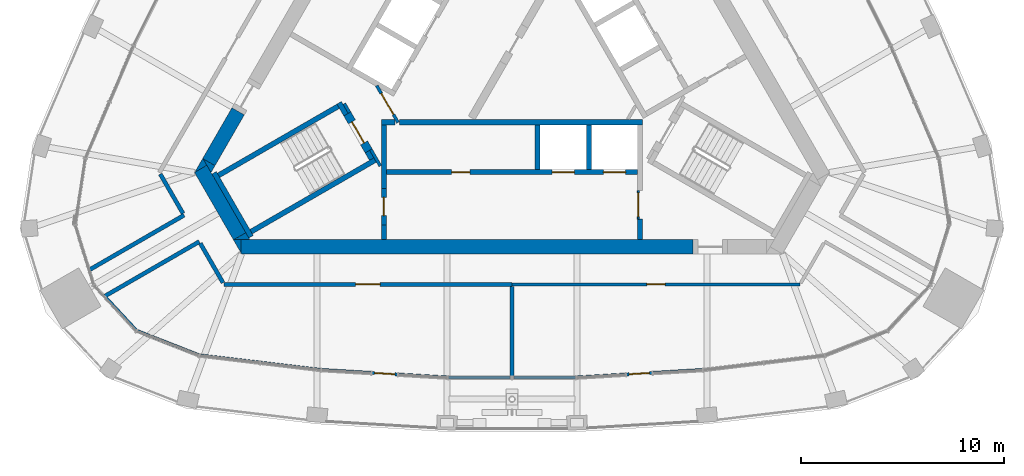
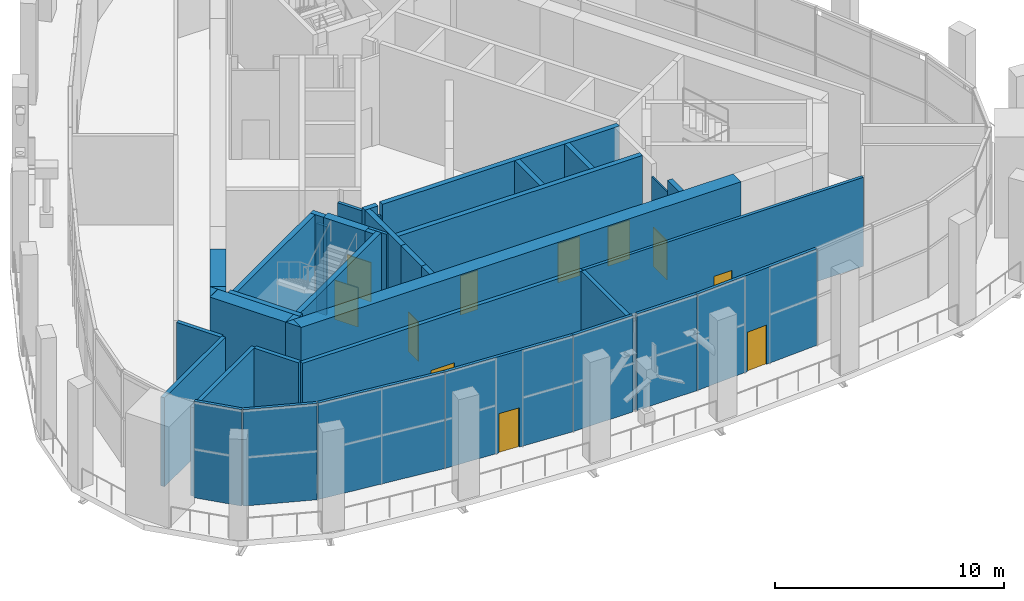
# One storey, part 13 of 23: 40 walls, 11 doors, 11 openings.
"""IFC4 building model written with IfcOpenShell, lengths in metres."""

import ifcopenshell
import ifcopenshell.guid

model = None  # the IFC model being written
_history = None  # IfcOwnerHistory: only IFC2X3 demands one
_inside = {}  # id of a spatial element -> (the spatial element, [elements in it])
_under = {}  # id of a project, library or spatial element -> (it, [spatial elements below it])
_declared = {}  # id of a project -> (the project, [libraries it declares])
_typed = {}  # id of a type object -> (the type object, [elements of that type])
_made_of = {}  # id of a material, layer set ... -> (it, [elements and type objects made of it])


def new_model(schema):
    """Start an empty IFC model of exactly this schema.

    Asked for "IFC4X3", IfcOpenShell would pick the latest addendum, in which some entities
    have other attributes; the version numbers below select the first issue.
    IFC2X3 requires an IfcOwnerHistory on every rooted entity: one is made here for all.
    """
    global model, _history
    if schema == "IFC4X3":
        model = ifcopenshell.file(schema_version=(4, 3, 0, 0))
    else:
        model = ifcopenshell.file(schema=schema)
    _inside.clear()
    _under.clear()
    _declared.clear()
    _typed.clear()
    _made_of.clear()
    _history = None
    if model.schema == "IFC2X3":
        org = make("IfcOrganization", Name="unknown")
        user = make(
            "IfcPersonAndOrganization",
            ThePerson=make("IfcPerson", FamilyName="unknown"),
            TheOrganization=org,
        )
        app = make(
            "IfcApplication",
            ApplicationDeveloper=org,
            Version="unknown",
            ApplicationFullName="unknown",
            ApplicationIdentifier="unknown",
        )
        _history = make(
            "IfcOwnerHistory",
            OwningUser=user,
            OwningApplication=app,
            ChangeAction="ADDED",
            CreationDate=0,
        )
    return model


def make(cls, **values):
    """One entity of the class cls with the attributes given. An attribute that is None is left unset."""
    return model.create_entity(
        cls, **{name: value for name, value in values.items() if value is not None}
    )


def rooted(cls, **values):
    """An entity with a GlobalId (a new one), such as an element, a storey or a relation."""
    return make(cls, GlobalId=ifcopenshell.guid.new(), OwnerHistory=_history, **values)


def si_unit(unit_type, name, prefix=None):
    """IfcSIUnit, for example si_unit("LENGTHUNIT", "METRE", prefix="MILLI")."""
    return make("IfcSIUnit", UnitType=unit_type, Prefix=prefix, Name=name)


def assignment(units):
    """IfcUnitAssignment: the units of a project."""
    return None if units is None else make("IfcUnitAssignment", Units=units)


def point(xyz):
    """IfcCartesianPoint."""
    return None if xyz is None else make("IfcCartesianPoint", Coordinates=xyz)


def direction(xyz):
    """IfcDirection."""
    return None if xyz is None else make("IfcDirection", DirectionRatios=xyz)


def frame(location, z_axis=None, x_axis=None):
    """IfcAxis2Placement3D, a coordinate frame: its origin and axes. An axis left out is left unset."""
    return make(
        "IfcAxis2Placement3D",
        Location=point(location),
        Axis=direction(z_axis),
        RefDirection=direction(x_axis),
    )


def frame_2d(location, x_axis=None):
    """IfcAxis2Placement2D, a coordinate frame in the plane: its origin and x axis."""
    return make(
        "IfcAxis2Placement2D", Location=point(location), RefDirection=direction(x_axis)
    )


def origin():
    """The frame at (0, 0, 0) with its axes left unset."""
    return frame((0.0, 0.0, 0.0))


def place(relative_to, where):
    """IfcLocalPlacement: puts the frame where relative to a parent placement (None: the world)."""
    return make(
        "IfcLocalPlacement", PlacementRelTo=relative_to, RelativePlacement=where
    )


def context(
    kind, dimensions, precision=None, world=None, true_north=None, identifier=None
):
    """IfcGeometricRepresentationContext, for example the 3D "Model" context."""
    return make(
        "IfcGeometricRepresentationContext",
        ContextIdentifier=identifier,
        ContextType=kind,
        CoordinateSpaceDimension=dimensions,
        Precision=precision,
        WorldCoordinateSystem=world,
        TrueNorth=true_north,
    )


def subcontext(parent, identifier, kind, view, scale=None):
    """IfcGeometricRepresentationSubContext, for example "Body" below "Model"."""
    return make(
        "IfcGeometricRepresentationSubContext",
        ContextIdentifier=identifier,
        ContextType=kind,
        ParentContext=parent,
        TargetScale=scale,
        TargetView=view,
    )


def project(units=None, contexts=None):
    """IfcProject with its units and contexts."""
    return rooted(
        "IfcProject",
        Name="project",
        RepresentationContexts=contexts,
        UnitsInContext=assignment(units),
    )


def spatial(cls, under=None, at=None, **own):
    """A site, building, storey or space (cls), placed at a placement, below another one or the project."""
    s = rooted(cls, ObjectPlacement=at, **own)
    if under is not None:
        _under.setdefault(under.id(), (under, []))[1].append(s)
    return s


def polyline(points):
    """IfcPolyline through the points."""
    return make("IfcPolyline", Points=[point(p) for p in points])


def profile(cls, at=None, kind="AREA", **sizes):
    """A parametric profile (cls). Its sizes go by their IFC names, for example OverallWidth=200.0."""
    return make(cls, ProfileType=kind, Position=at, **sizes)


def rectangle(**sizes):
    """IfcRectangleProfileDef."""
    return profile("IfcRectangleProfileDef", **sizes)


def outline(outer, holes=None, kind="AREA"):
    """IfcArbitraryClosedProfileDef: a profile drawn as a closed curve; with holes, ...WithVoids."""
    if holes is None:
        return make("IfcArbitraryClosedProfileDef", ProfileType=kind, OuterCurve=outer)
    return make(
        "IfcArbitraryProfileDefWithVoids",
        ProfileType=kind,
        OuterCurve=outer,
        InnerCurves=holes,
    )


def extrude(swept, where, along, depth):
    """IfcExtrudedAreaSolid: the profile swept, set in the frame where, extruded along a direction by depth."""
    return make(
        "IfcExtrudedAreaSolid",
        SweptArea=swept,
        Position=where,
        ExtrudedDirection=direction(along),
        Depth=depth,
    )


def shape(context_of_items, identifier, shape_type, items):
    """IfcShapeRepresentation: the items that make up one representation, for example the "Body"."""
    return make(
        "IfcShapeRepresentation",
        ContextOfItems=context_of_items,
        RepresentationIdentifier=identifier,
        RepresentationType=shape_type,
        Items=items,
    )


def material(Name=None, Category=None):
    """IfcMaterial."""
    return make("IfcMaterial", Name=Name, Category=Category)


def layer(
    of_material, thickness, ventilated=None, Name=None, Category=None, Priority=None
):
    """IfcMaterialLayer: one layer of a wall or slab, of a material (None: an air gap)."""
    return make(
        "IfcMaterialLayer",
        Material=of_material,
        LayerThickness=thickness,
        IsVentilated=ventilated,
        Name=Name,
        Category=Category,
        Priority=Priority,
    )


def layer_set(layers, Name=None):
    """IfcMaterialLayerSet."""
    return make("IfcMaterialLayerSet", MaterialLayers=layers, LayerSetName=Name)


def made_of(thing, what):
    """Note that an element or type object is made of a material, layer set ...; save() writes the relation."""
    if what is not None:
        _made_of.setdefault(what.id(), (what, []))[1].append(thing)
    return thing


def type_object(cls, material=None, **own):
    """A type object (cls), such as IfcWallType, which elements share."""
    return made_of(rooted(cls, **own), material)


def element(
    cls,
    number,
    at=None,
    inside=None,
    cuts=None,
    type_object=None,
    material=None,
    context=None,
    identifier="Body",
    shape_type=None,
    held_by="IfcProductDefinitionShape",
    body=None,
    shapes=None,
    **own,
):
    """One element of the class cls, such as IfcWall. Its Tag is "e" and its number.

    at: its placement. inside: the storey or other place that contains it. cuts: it is an
    opening in that element (IfcRelVoidsElement). A single representation is given by context,
    identifier, shape_type and body (its items); several are given by shapes. held_by: the class
    of the entity that holds the representations. save() writes the other relations.
    """
    e = rooted(cls, Tag="e%d" % number, ObjectPlacement=at, **own)
    if body is not None:
        shapes = [shape(context, identifier, shape_type, body)]
    if shapes is not None:
        e.Representation = make(held_by, Representations=shapes)
    if inside is not None:
        _inside.setdefault(inside.id(), (inside, []))[1].append(e)
    if cuts is not None:
        rooted(
            "IfcRelVoidsElement", RelatingBuildingElement=cuts, RelatedOpeningElement=e
        )
    if type_object is not None:
        _typed.setdefault(type_object.id(), (type_object, []))[1].append(e)
    return made_of(e, material)


def fill(opening, filler):
    """IfcRelFillsElement: the door or window that sits in an opening."""
    return rooted(
        "IfcRelFillsElement",
        RelatingOpeningElement=opening,
        RelatedBuildingElement=filler,
    )


def aggregate(whole, parts):
    """IfcRelAggregates: a whole, such as a stair, and the parts it consists of."""
    return rooted("IfcRelAggregates", RelatingObject=whole, RelatedObjects=parts)


def save(model, path):
    """Write the relations noted so far, then the file.

    IfcRelAggregates (storeys below a building ...), IfcRelContainedInSpatialStructure (elements
    in a storey), IfcRelDefinesByType, IfcRelAssociatesMaterial and IfcRelDeclares: one each for
    every whole, place, type object, material and project.
    """
    for whole, parts in _under.values():
        aggregate(whole, parts)
    for where, things in _inside.values():
        rooted(
            "IfcRelContainedInSpatialStructure",
            RelatedElements=things,
            RelatingStructure=where,
        )
    for kind, things in _typed.values():
        rooted("IfcRelDefinesByType", RelatedObjects=things, RelatingType=kind)
    for what, things in _made_of.values():
        rooted("IfcRelAssociatesMaterial", RelatedObjects=things, RelatingMaterial=what)
    for by, libraries in _declared.values():
        rooted("IfcRelDeclares", RelatingContext=by, RelatedDefinitions=libraries)
    model.write(path)


model = new_model("IFC4")

# Units and contexts
model_context = context("Model", 3, precision=1e-05, world=origin(), true_north=direction((0.0, 1.0)))
body_context = subcontext(model_context, "Body", "Model", "MODEL_VIEW")
ifc_project = project(units=[si_unit("LENGTHUNIT", "METRE"), si_unit("AREAUNIT", "SQUARE_METRE"), si_unit("VOLUMEUNIT", "CUBIC_METRE"), si_unit("PLANEANGLEUNIT", "RADIAN"), si_unit("MASSUNIT", "GRAM", prefix="KILO")], contexts=[model_context])

# Site, building, storey
site_placement = place(None, origin())
site = spatial("IfcSite", under=ifc_project, at=site_placement, CompositionType="ELEMENT")
building_placement = place(site_placement, origin())
building = spatial("IfcBuilding", under=site, at=building_placement, Name="Mestral Congress Tower", CompositionType="ELEMENT")
storey_placement = place(building_placement, frame((0.0, 0.0, 261.60009765625)))
storey = spatial("IfcBuildingStorey", under=building, at=storey_placement, Name="L61", CompositionType="ELEMENT", Elevation=261.60009765625)

# Wall
ifc_material_1 = material(Name="Fire-rated board partition")
ifc_layer_1 = layer(ifc_material_1, 0.14990234375)
ifc_layer_set_1 = layer_set([ifc_layer_1], Name="Fire-rated board partition")
wall_type_1 = type_object("IfcWallType", Name="Core partition 150", PredefinedType="PARTITIONING", material=ifc_layer_set_1)
wall_1_placement = place(storey_placement, frame((-8.251953125, -2.958251953125, 0.0), z_axis=(0.0, 0.0, 1.0), x_axis=(0.500174715838, -0.865924508047, 0.0)))
element("IfcWall", 1, at=wall_1_placement, inside=storey, type_object=wall_type_1, Name="L61 core wall", PredefinedType="PARTITIONING", context=body_context, shape_type="SweptSolid", body=[
    extrude(rectangle(XDim=0.513916015625, YDim=0.14990234375, at=frame_2d((0.2568359375, 0.0))), origin(), (0.0, 0.0, 1.0), 4.75),
])

# Wall, opening, door
wall_2_placement = place(storey_placement, frame((-5.606201171875, -3.8896484375, 0.0), z_axis=(0.0, 0.0, 1.0), x_axis=(-0.500027713859, 0.866009402589, 0.0)))
wall_2 = element("IfcWall", 2, at=wall_2_placement, inside=storey, type_object=wall_type_1, Name="L61 door wall", PredefinedType="PARTITIONING", context=body_context, shape_type="SweptSolid", body=[
    extrude(rectangle(XDim=2.10009765625, YDim=0.14990234375, at=frame_2d((1.050048828125, 0.0))), origin(), (0.0, 0.0, 1.0), 4.75),
])
opening_1_placement = place(wall_2_placement, frame((0.449951171875, 0.0, 0.0)))
opening_1 = element("IfcOpeningElement", 3, at=opening_1_placement, cuts=wall_2, Name="Opening CD3-FF", PredefinedType="OPENING", context=body_context, shape_type="SweptSolid", body=[
    extrude(rectangle(XDim=1.199951171875, YDim=2.10009765625, at=frame_2d((0.60009765625, 1.050048828125))), frame((0.0, 0.0849609375, 0.0), z_axis=(0.0, -1.0, 0.0), x_axis=(1.0, 0.0, 0.0)), (0.0, 0.0, 1.0), 0.169921875),
])
ifc_material_2 = material(Name="Fire-rated steel door set", Category="steel")
door_type_1 = type_object("IfcDoorType", Name="Core door CD 1200x2100", OperationType="SINGLE_SWING_LEFT", PredefinedType="DOOR", material=ifc_material_2)
door_1_placement = place(opening_1_placement, origin())
door_1 = element("IfcDoor", 4, at=door_1_placement, inside=storey, type_object=door_type_1, Name="Door CD3-FF", OperationType="SINGLE_SWING_LEFT", OverallHeight=2.10009765625, OverallWidth=1.199951171875, PredefinedType="DOOR", context=body_context, shape_type="SweptSolid", body=[
    extrude(rectangle(XDim=1.199951171875, YDim=2.10009765625, at=frame_2d((0.60009765625, 1.050048828125))), frame((0.0, 0.02490234375, 0.0), z_axis=(0.0, -1.0, 0.0), x_axis=(1.0, 0.0, 0.0)), (0.0, 0.0, 1.0), 0.050048828125),
])
fill(opening_1, door_1)

ifc_layer_2 = layer(ifc_material_1, 0.090087890625)
ifc_layer_set_2 = layer_set([ifc_layer_2], Name="Fire-rated board partition")
wall_type_2 = type_object("IfcWallType", Name="Core partition 150 door-wall 90", PredefinedType="PARTITIONING", material=ifc_layer_set_2)
wall_3_placement = place(storey_placement, frame((6.219970703125, -7.23681640625, 0.0), z_axis=(0.0, 0.0, 1.0), x_axis=(0.0, -1.0, 0.0)))
wall_3 = element("IfcWall", 5, at=wall_3_placement, inside=storey, type_object=wall_type_2, Name="L61 door wall", PredefinedType="PARTITIONING", context=body_context, shape_type="SweptSolid", body=[
    extrude(rectangle(XDim=1.400146484375, YDim=0.090087890625, at=frame_2d((0.7001953125, 0.0))), origin(), (0.0, 0.0, 1.0), 4.75),
])
opening_2_placement = place(wall_3_placement, frame((0.10009765625, 0.0, 0.0)))
opening_2 = element("IfcOpeningElement", 6, at=opening_2_placement, cuts=wall_3, Name="Opening LB0-WL1", PredefinedType="OPENING", context=body_context, shape_type="SweptSolid", body=[
    extrude(rectangle(XDim=1.199951171875, YDim=2.10009765625, at=frame_2d((0.60009765625, 1.050048828125))), frame((0.0, 0.054931640625, 0.0), z_axis=(0.0, -1.0, 0.0), x_axis=(1.0, 0.0, 0.0)), (0.0, 0.0, 1.0), 0.110107421875),
])
door_type_2 = type_object("IfcDoorType", Name="Core door LB 1200x2100", OperationType="SINGLE_SWING_LEFT", PredefinedType="DOOR", material=ifc_material_2)
door_2_placement = place(opening_2_placement, origin())
door_2 = element("IfcDoor", 7, at=door_2_placement, inside=storey, type_object=door_type_2, Name="Door LB0-WL1", OperationType="SINGLE_SWING_LEFT", OverallHeight=2.10009765625, OverallWidth=1.199951171875, PredefinedType="DOOR", context=body_context, shape_type="SweptSolid", body=[
    extrude(rectangle(XDim=1.199951171875, YDim=2.10009765625, at=frame_2d((0.60009765625, 1.050048828125))), frame((0.0, 0.02490234375, 0.0), z_axis=(0.0, -1.0, 0.0), x_axis=(1.0, 0.0, 0.0)), (0.0, 0.0, 1.0), 0.050048828125),
])
fill(opening_2, door_2)

# Walls
ifc_material_3 = material(Name="Concrete C60/75", Category="concrete")
ifc_layer_3 = layer(ifc_material_3, 0.699951171875)
ifc_layer_set_3 = layer_set([ifc_layer_3], Name="Concrete C60/75")
wall_type_3 = type_object("IfcWallType", Name="Core wall RC 700", PredefinedType="SOLIDWALL", material=ifc_layer_set_3)
wall_4_placement = place(storey_placement, frame((8.904296875, -10.0, 0.0), z_axis=(0.0, 0.0, 1.0), x_axis=(-1.0, 0.0, 0.0)))
element("IfcWall", 8, at=wall_4_placement, inside=storey, type_object=wall_type_3, Name="L61 core wall", PredefinedType="SOLIDWALL", context=body_context, shape_type="SweptSolid", body=[
    extrude(rectangle(XDim=22.226318359375, YDim=0.699951171875, at=frame_2d((11.11328125, 0.0))), origin(), (0.0, 0.0, 1.0), 5.39990234375),
])
placement = place(storey_placement, origin())
element("IfcWall", 9, at=placement, inside=storey, type_object=wall_type_3, Name="L61 core wall", PredefinedType="SOLIDWALL", context=body_context, shape_type="SweptSolid", body=[
    extrude(outline(polyline([(-13.7119140625, -9.64990234375), (-13.323974609375, -9.64990234375), (-13.323974609375, -10.322021484375), (-13.7119140625, -9.64990234375)])), origin(), (0.0, 0.0, 1.0), 5.39990234375),
])
wall_6_placement = place(storey_placement, frame((-13.40185546875, -9.4873046875, 0.0), z_axis=(0.0, 0.0, 1.0), x_axis=(-0.500020498207, 0.866013568815, 0.0)))
element("IfcWall", 10, at=wall_6_placement, inside=storey, type_object=wall_type_3, Name="L61 core wall", PredefinedType="SOLIDWALL", context=body_context, shape_type="SweptSolid", body=[
    extrude(rectangle(XDim=3.828857421875, YDim=0.699951171875, at=frame_2d((1.91455078125, 0.0))), origin(), (0.0, 0.0, 1.0), 5.39990234375),
])
element("IfcWall", 11, at=placement, inside=storey, type_object=wall_type_3, Name="L61 core wall", PredefinedType="SOLIDWALL", context=body_context, shape_type="SweptSolid", body=[
    extrude(outline(polyline([(-15.01416015625, -5.99462890625), (-15.611083984375, -6.33935546875), (-15.213134765625, -5.64990234375), (-15.01416015625, -5.99462890625)])), origin(), (0.0, 0.0, 1.0), 5.39990234375),
])
element("IfcWall", 12, at=placement, inside=storey, type_object=wall_type_3, Name="L61 core wall", PredefinedType="SOLIDWALL", context=body_context, shape_type="SweptSolid", body=[
    extrude(outline(polyline([(-12.90380859375, -9.64990234375), (-13.6796875, -9.64990234375), (-13.097900390625, -9.31396484375), (-12.90380859375, -9.64990234375)])), origin(), (0.0, 0.0, 1.0), 5.39990234375),
])
wall_9_placement = place(storey_placement, frame((-13.474853515625, -3.33935546875, 0.0), z_axis=(0.0, 0.0, 1.0), x_axis=(-0.500008214683, -0.866020660983, 0.0)))
element("IfcWall", 13, at=wall_9_placement, inside=storey, type_object=wall_type_3, Name="L61 core wall", PredefinedType="SOLIDWALL", context=body_context, shape_type="SweptSolid", body=[
    extrude(rectangle(XDim=2.88427734375, YDim=0.699951171875, at=frame_2d((1.442138671875, 0.0))), origin(), (0.0, 0.0, 1.0), 5.39990234375),
])
element("IfcWall", 14, at=placement, inside=storey, type_object=wall_type_3, Name="L61 core wall", PredefinedType="SOLIDWALL", context=body_context, shape_type="SweptSolid", body=[
    extrude(outline(polyline([(-14.80908203125, -6.35009765625), (-15.197021484375, -5.677978515625), (-14.614990234375, -6.013916015625), (-14.80908203125, -6.35009765625)])), origin(), (0.0, 0.0, 1.0), 5.39990234375),
])
ifc_layer_4 = layer(ifc_material_3, 0.25)
ifc_layer_set_4 = layer_set([ifc_layer_4], Name="Concrete C60/75")
wall_type_4 = type_object("IfcWallType", Name="Shaft wall RC 250", PredefinedType="SOLIDWALL", material=ifc_layer_set_4)
wall_11_placement = place(storey_placement, frame((-5.544921875, -3.875, 0.0), z_axis=(0.0, 0.0, 1.0), x_axis=(1.0, 0.0, 0.0)))
element("IfcWall", 15, at=wall_11_placement, inside=storey, type_object=wall_type_4, Name="L61 core wall", PredefinedType="SOLIDWALL", context=body_context, shape_type="SweptSolid", body=[
    extrude(rectangle(XDim=11.969970703125, YDim=0.25, at=frame_2d((5.98486328125, 0.0))), origin(), (0.0, 0.0, 1.0), 5.39990234375),
])
wall_12_placement = place(storey_placement, frame((-6.425048828125, -3.875, 0.0), z_axis=(0.0, 0.0, 1.0), x_axis=(1.0, 0.0, 0.0)))
element("IfcWall", 16, at=wall_12_placement, inside=storey, type_object=wall_type_4, Name="L61 core wall", PredefinedType="SOLIDWALL", context=body_context, shape_type="SweptSolid", body=[
    extrude(rectangle(XDim=0.657958984375, YDim=0.25, at=frame_2d((0.3291015625, 0.0))), origin(), (0.0, 0.0, 1.0), 5.39990234375),
])
wall_13_placement = place(storey_placement, frame((6.300048828125, -9.64990234375, 0.0), z_axis=(0.0, 0.0, 1.0), x_axis=(0.0, 1.0, 0.0)))
element("IfcWall", 17, at=wall_13_placement, inside=storey, type_object=wall_type_4, Name="L61 core wall", PredefinedType="SOLIDWALL", context=body_context, shape_type="SweptSolid", body=[
    extrude(rectangle(XDim=1.0078125, YDim=0.25, at=frame_2d((0.50390625, 0.0))), origin(), (0.0, 0.0, 1.0), 5.39990234375),
])
for number, where, z_axis, x_axis, name in (
    (18, (3.780029296875, -4.0, 0.0), (0.0, 0.0, 1.0), (0.0, -1.0, 0.0), "L61 core wall"),
    (19, (1.260009765625, -4.0, 0.0), (0.0, 0.0, 1.0), (0.0, -1.0, 0.0), "L61 core wall"),
):
    element("IfcWall", number, at=place(storey_placement, frame(where, z_axis=z_axis, x_axis=x_axis)), inside=storey, type_object=wall_type_4, Name=name, PredefinedType="SOLIDWALL", context=body_context, shape_type="SweptSolid", body=[
        extrude(rectangle(XDim=2.199951171875, YDim=0.25, at=frame_2d((1.10009765625, 0.0))), origin(), (0.0, 0.0, 1.0), 5.39990234375),
    ])
wall_14_placement = place(storey_placement, frame((-6.300048828125, -7.12451171875, 0.0), z_axis=(0.0, 0.0, 1.0), x_axis=(0.0, 1.0, 0.0)))
element("IfcWall", 20, at=wall_14_placement, inside=storey, type_object=wall_type_4, Name="L61 core wall", PredefinedType="SOLIDWALL", context=body_context, shape_type="SweptSolid", body=[
    extrude(rectangle(XDim=3.12451171875, YDim=0.25, at=frame_2d((1.562255859375, 0.0))), origin(), (0.0, 0.0, 1.0), 5.39990234375),
])
wall_15_placement = place(storey_placement, frame((-6.300048828125, -8.9248046875, 0.0), z_axis=(0.0, 0.0, 1.0), x_axis=(0.0, -1.0, 0.0)))
element("IfcWall", 21, at=wall_15_placement, inside=storey, type_object=wall_type_4, Name="L61 core wall", PredefinedType="SOLIDWALL", context=body_context, shape_type="SweptSolid", body=[
    extrude(rectangle(XDim=0.72509765625, YDim=0.25, at=frame_2d((0.362548828125, 0.0))), origin(), (0.0, 0.0, 1.0), 5.39990234375),
])

# Wall, openings, doors
wall_16_placement = place(storey_placement, frame((-6.175048828125, -6.324951171875, 0.0), z_axis=(0.0, 0.0, 1.0), x_axis=(1.0, 0.0, 0.0)))
wall_16 = element("IfcWall", 22, at=wall_16_placement, inside=storey, type_object=wall_type_4, Name="L61 door wall", PredefinedType="SOLIDWALL", context=body_context, shape_type="SweptSolid", body=[
    extrude(rectangle(XDim=12.35009765625, YDim=0.25, at=frame_2d((6.175048828125, 0.0))), origin(), (0.0, 0.0, 1.0), 5.39990234375),
])
opening_3_placement = place(wall_16_placement, frame((3.205078125, 0.0, 0.0)))
opening_3 = element("IfcOpeningElement", 23, at=opening_3_placement, cuts=wall_16, Name="Opening SR-SOB1", PredefinedType="OPENING", context=body_context, shape_type="SweptSolid", body=[
    extrude(rectangle(XDim=0.89990234375, YDim=2.10009765625, at=frame_2d((0.449951171875, 1.050048828125))), frame((0.0, 0.135009765625, 0.0), z_axis=(0.0, -1.0, 0.0), x_axis=(1.0, 0.0, 0.0)), (0.0, 0.0, 1.0), 0.27001953125),
])
opening_4_placement = place(wall_16_placement, frame((8.14501953125, 0.0, 0.0)))
opening_4 = element("IfcOpeningElement", 24, at=opening_4_placement, cuts=wall_16, Name="Opening LD-SOB4", PredefinedType="OPENING", context=body_context, shape_type="SweptSolid", body=[
    extrude(rectangle(XDim=1.10009765625, YDim=2.10009765625, at=frame_2d((0.550048828125, 1.050048828125))), frame((0.0, 0.135009765625, 0.0), z_axis=(0.0, -1.0, 0.0), x_axis=(1.0, 0.0, 0.0)), (0.0, 0.0, 1.0), 0.27001953125),
])
opening_5_placement = place(wall_16_placement, frame((10.6650390625, 0.0, 0.0)))
opening_5 = element("IfcOpeningElement", 25, at=opening_5_placement, cuts=wall_16, Name="Opening LD-SOB5", PredefinedType="OPENING", context=body_context, shape_type="SweptSolid", body=[
    extrude(rectangle(XDim=1.10009765625, YDim=2.10009765625, at=frame_2d((0.550048828125, 1.050048828125))), frame((0.0, 0.135009765625, 0.0), z_axis=(0.0, -1.0, 0.0), x_axis=(1.0, 0.0, 0.0)), (0.0, 0.0, 1.0), 0.27001953125),
])
door_type_3 = type_object("IfcDoorType", Name="Core door LD 1100x2100", OperationType="DOUBLE_DOOR_SLIDING", PredefinedType="DOOR", material=ifc_material_2)
door_3_placement = place(opening_4_placement, origin())
door_3 = element("IfcDoor", 26, at=door_3_placement, inside=storey, type_object=door_type_3, Name="Door LD-SOB4", OperationType="DOUBLE_DOOR_SLIDING", OverallHeight=2.10009765625, OverallWidth=1.10009765625, PredefinedType="DOOR", context=body_context, shape_type="SweptSolid", body=[
    extrude(rectangle(XDim=1.10009765625, YDim=2.10009765625, at=frame_2d((0.550048828125, 1.050048828125))), frame((0.0, 0.02490234375, 0.0), z_axis=(0.0, -1.0, 0.0), x_axis=(1.0, 0.0, 0.0)), (0.0, 0.0, 1.0), 0.050048828125),
])
fill(opening_4, door_3)
door_4_placement = place(opening_5_placement, origin())
door_4 = element("IfcDoor", 27, at=door_4_placement, inside=storey, type_object=door_type_3, Name="Door LD-SOB5", OperationType="DOUBLE_DOOR_SLIDING", OverallHeight=2.10009765625, OverallWidth=1.10009765625, PredefinedType="DOOR", context=body_context, shape_type="SweptSolid", body=[
    extrude(rectangle(XDim=1.10009765625, YDim=2.10009765625, at=frame_2d((0.550048828125, 1.050048828125))), frame((0.0, 0.02490234375, 0.0), z_axis=(0.0, -1.0, 0.0), x_axis=(1.0, 0.0, 0.0)), (0.0, 0.0, 1.0), 0.050048828125),
])
fill(opening_5, door_4)
door_type_4 = type_object("IfcDoorType", Name="Core door SR 900x2100", OperationType="SINGLE_SWING_LEFT", PredefinedType="DOOR", material=ifc_material_2)
door_5_placement = place(opening_3_placement, origin())
door_5 = element("IfcDoor", 28, at=door_5_placement, inside=storey, type_object=door_type_4, Name="Door SR-SOB1", OperationType="SINGLE_SWING_LEFT", OverallHeight=2.10009765625, OverallWidth=0.89990234375, PredefinedType="DOOR", context=body_context, shape_type="SweptSolid", body=[
    extrude(rectangle(XDim=0.89990234375, YDim=2.10009765625, at=frame_2d((0.449951171875, 1.050048828125))), frame((0.0, 0.02490234375, 0.0), z_axis=(0.0, -1.0, 0.0), x_axis=(1.0, 0.0, 0.0)), (0.0, 0.0, 1.0), 0.050048828125),
])
fill(opening_3, door_5)

# Wall, opening, door
wall_17_placement = place(storey_placement, frame((-6.300048828125, -7.12451171875, 0.0), z_axis=(0.0, 0.0, 1.0), x_axis=(0.0, -1.0, 0.0)))
wall_17 = element("IfcWall", 29, at=wall_17_placement, inside=storey, type_object=wall_type_4, Name="L61 door wall", PredefinedType="SOLIDWALL", context=body_context, shape_type="SweptSolid", body=[
    extrude(rectangle(XDim=1.800048828125, YDim=0.25, at=frame_2d((0.89990234375, 0.0))), origin(), (0.0, 0.0, 1.0), 5.39990234375),
])
opening_6_placement = place(wall_17_placement, frame((0.449951171875, 0.0, 0.0)))
opening_6 = element("IfcOpeningElement", 30, at=opening_6_placement, cuts=wall_17, Name="Opening TD3", PredefinedType="OPENING", context=body_context, shape_type="SweptSolid", body=[
    extrude(rectangle(XDim=0.89990234375, YDim=2.10009765625, at=frame_2d((0.449951171875, 1.050048828125))), frame((0.0, 0.135009765625, 0.0), z_axis=(0.0, -1.0, 0.0), x_axis=(1.0, 0.0, 0.0)), (0.0, 0.0, 1.0), 0.27001953125),
])
door_6_placement = place(opening_6_placement, origin())
door_6 = element("IfcDoor", 31, at=door_6_placement, inside=storey, type_object=door_type_4, Name="Door TD3", OperationType="SINGLE_SWING_LEFT", OverallHeight=2.10009765625, OverallWidth=0.89990234375, PredefinedType="DOOR", context=body_context, shape_type="SweptSolid", body=[
    extrude(rectangle(XDim=0.89990234375, YDim=2.10009765625, at=frame_2d((0.449951171875, 1.050048828125))), frame((0.0, 0.02490234375, 0.0), z_axis=(0.0, -1.0, 0.0), x_axis=(1.0, 0.0, 0.0)), (0.0, 0.0, 1.0), 0.050048828125),
])
fill(opening_6, door_6)

# Wall
ifc_layer_5 = layer(ifc_material_3, 0.14990234375)
ifc_layer_set_5 = layer_set([ifc_layer_5], Name="Concrete C60/75")
wall_type_5 = type_object("IfcWallType", Name="Shaft wall RC 250 door-wall 150", PredefinedType="SOLIDWALL", material=ifc_layer_set_5)
wall_18_placement = place(storey_placement, frame((-6.48046875, -6.026611328125, 0.0), z_axis=(0.0, 0.0, 1.0), x_axis=(-0.499927229454, 0.866067413802, 0.0)))
element("IfcWall", 32, at=wall_18_placement, inside=storey, type_object=wall_type_5, Name="L61 core wall", PredefinedType="PARTITIONING", context=body_context, shape_type="SweptSolid", body=[
    extrude(rectangle(XDim=0.928955078125, YDim=0.14990234375, at=frame_2d((0.46435546875, 0.0))), origin(), (0.0, 0.0, 1.0), 5.39990234375),
])

# Wall, opening, door
ifc_material_4 = material(Name="Aluminium-framed glazed screen", Category="aluminium")
ifc_layer_6 = layer(ifc_material_4, 0.14990234375)
ifc_layer_set_6 = layer_set([ifc_layer_6], Name="Aluminium-framed glazed screen")
wall_type_6 = type_object("IfcWallType", Name="Special deck access screen 150", PredefinedType="PARTITIONING", material=ifc_layer_set_6)
wall_19_placement = place(storey_placement, frame((-9.385986328125, -16.056640625, 0.0), z_axis=(0.0, 0.0, 1.0), x_axis=(0.998219082879, -0.059654526865, 0.0)))
wall_19 = element("IfcWall", 33, at=wall_19_placement, inside=storey, type_object=wall_type_6, Name="Deck access screen wall", PredefinedType="PARTITIONING", context=body_context, shape_type="SweptSolid", body=[
    extrude(rectangle(XDim=6.26171875, YDim=0.14990234375, at=frame_2d((3.130859375, 0.0))), origin(), (0.0, 0.0, 1.0), 5.14990234375),
])
opening_7_placement = place(wall_19_placement, frame((2.630859375, 0.0, 0.0)))
opening_7 = element("IfcOpeningElement", 34, at=opening_7_placement, cuts=wall_19, Name="Opening S61-801", PredefinedType="OPENING", context=body_context, shape_type="SweptSolid", body=[
    extrude(rectangle(XDim=1.0, YDim=2.10009765625, at=frame_2d((0.5, 1.050048828125))), frame((0.0, 0.0849609375, 0.0), z_axis=(0.0, -1.0, 0.0), x_axis=(1.0, 0.0, 0.0)), (0.0, 0.0, 1.0), 0.169921875),
])
ifc_material_5 = material(Name="Timber door set", Category="wood")
door_type_5 = type_object("IfcDoorType", Name="Room door 1000x2100", OperationType="SINGLE_SWING_LEFT", PredefinedType="DOOR", material=ifc_material_5)
door_7_placement = place(opening_7_placement, origin())
door_7 = element("IfcDoor", 35, at=door_7_placement, inside=storey, type_object=door_type_5, Name="Door S61-801", OperationType="SINGLE_SWING_LEFT", OverallHeight=2.10009765625, OverallWidth=1.0, PredefinedType="DOOR", context=body_context, shape_type="SweptSolid", body=[
    extrude(rectangle(XDim=1.0, YDim=2.10009765625, at=frame_2d((0.5, 1.050048828125))), frame((0.0, 0.02490234375, 0.0), z_axis=(0.0, -1.0, 0.0), x_axis=(1.0, 0.0, 0.0)), (0.0, 0.0, 1.0), 0.050048828125),
])
fill(opening_7, door_7)

# Walls
wall_20_placement = place(storey_placement, frame((-15.3837890625, -15.337646484375, 0.0), z_axis=(0.0, 0.0, 1.0), x_axis=(0.992885830537, -0.119070262948, 0.0)))
element("IfcWall", 36, at=wall_20_placement, inside=storey, type_object=wall_type_6, Name="Deck access screen wall", PredefinedType="PARTITIONING", context=body_context, shape_type="SweptSolid", body=[
    extrude(rectangle(XDim=6.036376953125, YDim=0.14990234375, at=frame_2d((3.01806640625, 0.0))), origin(), (0.0, 0.0, 1.0), 5.14990234375),
])
wall_21_placement = place(storey_placement, frame((-18.453125, -14.13671875, 0.0), z_axis=(0.0, 0.0, 1.0), x_axis=(0.930983128498, -0.365062206277, 0.0)))
element("IfcWall", 37, at=wall_21_placement, inside=storey, type_object=wall_type_6, Name="Deck access screen wall", PredefinedType="PARTITIONING", context=body_context, shape_type="SweptSolid", body=[
    extrude(rectangle(XDim=3.27685546875, YDim=0.14990234375, at=frame_2d((1.638427734375, 0.0))), origin(), (0.0, 0.0, 1.0), 5.14990234375),
])
wall_22_placement = place(storey_placement, frame((-3.130859375, -16.43017578125, 0.0), z_axis=(0.0, 0.0, 1.0), x_axis=(1.0, 0.0, 0.0)))
element("IfcWall", 38, at=wall_22_placement, inside=storey, type_object=wall_type_6, Name="Deck access screen wall", PredefinedType="PARTITIONING", context=body_context, shape_type="SweptSolid", body=[
    extrude(rectangle(XDim=3.03076171875, YDim=0.14990234375, at=frame_2d((1.515380859375, 0.0))), origin(), (0.0, 0.0, 1.0), 5.14990234375),
])
wall_23_placement = place(storey_placement, frame((-19.96142578125, -12.522705078125, 0.0), z_axis=(0.0, 0.0, 1.0), x_axis=(0.680313409729, -0.732921322205, 0.0)))
element("IfcWall", 39, at=wall_23_placement, inside=storey, type_object=wall_type_6, Name="Deck access screen wall", PredefinedType="PARTITIONING", context=body_context, shape_type="SweptSolid", body=[
    extrude(rectangle(XDim=2.176513671875, YDim=0.14990234375, at=frame_2d((1.08837890625, 0.0))), origin(), (0.0, 0.0, 1.0), 5.14990234375),
])

# Wall, opening, door
wall_24_placement = place(storey_placement, frame((3.135498046875, -16.43017578125, 0.0), z_axis=(0.0, 0.0, 1.0), x_axis=(0.998219082879, 0.059654526865, 0.0)))
wall_24 = element("IfcWall", 40, at=wall_24_placement, inside=storey, type_object=wall_type_6, Name="Deck access screen wall", PredefinedType="PARTITIONING", context=body_context, shape_type="SweptSolid", body=[
    extrude(rectangle(XDim=6.26171875, YDim=0.14990234375, at=frame_2d((3.130859375, 0.0))), origin(), (0.0, 0.0, 1.0), 5.14990234375),
])
opening_8_placement = place(wall_24_placement, frame((2.630859375, 0.0, 0.0)))
opening_8 = element("IfcOpeningElement", 41, at=opening_8_placement, cuts=wall_24, Name="Opening S61-802", PredefinedType="OPENING", context=body_context, shape_type="SweptSolid", body=[
    extrude(rectangle(XDim=1.0, YDim=2.10009765625, at=frame_2d((0.5, 1.050048828125))), frame((0.0, 0.0849609375, 0.0), z_axis=(0.0, -1.0, 0.0), x_axis=(1.0, 0.0, 0.0)), (0.0, 0.0, 1.0), 0.169921875),
])
door_8_placement = place(opening_8_placement, origin())
door_8 = element("IfcDoor", 42, at=door_8_placement, inside=storey, type_object=door_type_5, Name="Door S61-802", OperationType="SINGLE_SWING_LEFT", OverallHeight=2.10009765625, OverallWidth=1.0, PredefinedType="DOOR", context=body_context, shape_type="SweptSolid", body=[
    extrude(rectangle(XDim=1.0, YDim=2.10009765625, at=frame_2d((0.5, 1.050048828125))), frame((0.0, 0.02490234375, 0.0), z_axis=(0.0, -1.0, 0.0), x_axis=(1.0, 0.0, 0.0)), (0.0, 0.0, 1.0), 0.050048828125),
])
fill(opening_8, door_8)

# Wall
wall_25_placement = place(storey_placement, frame((0.10009765625, -16.43017578125, 0.0), z_axis=(0.0, 0.0, 1.0), x_axis=(1.0, 0.0, 0.0)))
element("IfcWall", 43, at=wall_25_placement, inside=storey, type_object=wall_type_6, Name="Deck access screen wall", PredefinedType="PARTITIONING", context=body_context, shape_type="SweptSolid", body=[
    extrude(rectangle(XDim=3.03076171875, YDim=0.14990234375, at=frame_2d((1.515380859375, 0.0))), origin(), (0.0, 0.0, 1.0), 5.14990234375),
])

# Wall, opening, door
ifc_layer_7 = layer(ifc_material_1, 0.14990234375)
ifc_layer_set_7 = layer_set([ifc_layer_7], Name="Fire-rated board partition")
wall_type_7 = type_object("IfcWallType", Name="Special partition 150 EI 120", PredefinedType="PARTITIONING", material=ifc_layer_set_7)
wall_26_placement = place(storey_placement, frame((-0.000244140625, -11.85009765625, 0.0), z_axis=(0.0, 0.0, 1.0), x_axis=(1.0, 0.0, 0.0)))
wall_26 = element("IfcWall", 44, at=wall_26_placement, inside=storey, type_object=wall_type_7, Name="Partition", PredefinedType="PARTITIONING", context=body_context, shape_type="SweptSolid", body=[
    extrude(rectangle(XDim=14.174072265625, YDim=0.14990234375, at=frame_2d((7.0869140625, 0.0))), origin(), (0.0, 0.0, 1.0), 4.75),
])
opening_9_placement = place(wall_26_placement, frame((6.63720703125, 0.0, 0.0)))
opening_9 = element("IfcOpeningElement", 45, at=opening_9_placement, cuts=wall_26, Name="Opening S61-003", PredefinedType="OPENING", context=body_context, shape_type="SweptSolid", body=[
    extrude(rectangle(XDim=0.89990234375, YDim=2.10009765625, at=frame_2d((0.449951171875, 1.050048828125))), frame((0.0, 0.0849609375, 0.0), z_axis=(0.0, -1.0, 0.0), x_axis=(1.0, 0.0, 0.0)), (0.0, 0.0, 1.0), 0.169921875),
])
door_type_6 = type_object("IfcDoorType", Name="Room door 900x2100", OperationType="SINGLE_SWING_LEFT", PredefinedType="DOOR", material=ifc_material_5)
door_9_placement = place(opening_9_placement, origin())
door_9 = element("IfcDoor", 46, at=door_9_placement, inside=storey, type_object=door_type_6, Name="Door S61-003", OperationType="SINGLE_SWING_RIGHT", OverallHeight=2.10009765625, OverallWidth=0.89990234375, PredefinedType="DOOR", context=body_context, shape_type="SweptSolid", body=[
    extrude(rectangle(XDim=0.89990234375, YDim=2.10009765625, at=frame_2d((0.449951171875, 1.050048828125))), frame((0.0, 0.02490234375, 0.0), z_axis=(0.0, -1.0, 0.0), x_axis=(1.0, 0.0, 0.0)), (0.0, 0.0, 1.0), 0.050048828125),
])
fill(opening_9, door_9)

ifc_material_6 = material(Name="Concrete block wall, plastered", Category="concrete")
ifc_layer_8 = layer(ifc_material_6, 0.199951171875)
ifc_layer_set_8 = layer_set([ifc_layer_8], Name="Concrete block wall, plastered")
wall_type_8 = type_object("IfcWallType", Name="Special partition 200 EI 120", PredefinedType="PARTITIONING", material=ifc_layer_set_8)
wall_27_placement = place(storey_placement, frame((-14.173828125, -11.85009765625, 0.0), z_axis=(0.0, 0.0, 1.0), x_axis=(1.0, 0.0, 0.0)))
wall_27 = element("IfcWall", 47, at=wall_27_placement, inside=storey, type_object=wall_type_8, Name="Partition", PredefinedType="PARTITIONING", context=body_context, shape_type="SweptSolid", body=[
    extrude(rectangle(XDim=14.1640625, YDim=0.199951171875, at=frame_2d((7.08203125, 0.0))), origin(), (0.0, 0.0, 1.0), 4.75),
])
opening_10_placement = place(wall_27_placement, frame((6.482177734375, 0.0, 0.0)))
opening_10 = element("IfcOpeningElement", 48, at=opening_10_placement, cuts=wall_27, Name="Opening S61-002", PredefinedType="OPENING", context=body_context, shape_type="SweptSolid", body=[
    extrude(rectangle(XDim=1.199951171875, YDim=2.10009765625, at=frame_2d((0.60009765625, 1.050048828125))), frame((0.0, 0.10986328125, 0.0), z_axis=(0.0, -1.0, 0.0), x_axis=(1.0, 0.0, 0.0)), (0.0, 0.0, 1.0), 0.219970703125),
])
door_type_7 = type_object("IfcDoorType", Name="Plant room door 1200x2100", OperationType="SINGLE_SWING_LEFT", PredefinedType="DOOR", material=ifc_material_2)
door_10_placement = place(opening_10_placement, origin())
door_10 = element("IfcDoor", 49, at=door_10_placement, inside=storey, type_object=door_type_7, Name="Door S61-002", OperationType="SINGLE_SWING_RIGHT", OverallHeight=2.10009765625, OverallWidth=1.199951171875, PredefinedType="DOOR", context=body_context, shape_type="SweptSolid", body=[
    extrude(rectangle(XDim=1.199951171875, YDim=2.10009765625, at=frame_2d((0.60009765625, 1.050048828125))), frame((0.0, 0.02490234375, 0.0), z_axis=(0.0, -1.0, 0.0), x_axis=(1.0, 0.0, 0.0)), (0.0, 0.0, 1.0), 0.050048828125),
])
fill(opening_10, door_10)

# Walls
for number, where, z_axis, x_axis, name in (
    (50, (-15.38671875, -9.74951171875, 0.0), (0.0, 0.0, 1.0), (-0.866024483152, -0.500001594578, 0.0), "Partition"),
    (51, (-20.77001953125, -11.12548828125, 0.0), (0.0, 0.0, 1.0), (0.866024483152, 0.500001594578, 0.0), "Partition"),
):
    element("IfcWall", number, at=place(storey_placement, frame(where, z_axis=z_axis, x_axis=x_axis)), inside=storey, type_object=wall_type_8, Name=name, PredefinedType="PARTITIONING", context=body_context, shape_type="SweptSolid", body=[
        extrude(rectangle(XDim=5.35009765625, YDim=0.199951171875, at=frame_2d((2.675048828125, 0.0))), origin(), (0.0, 0.0, 1.0), 4.75),
    ])
wall_28_placement = place(storey_placement, frame((0.0, -11.949951171875, 0.0), z_axis=(0.0, 0.0, 1.0), x_axis=(0.0, -1.0, 0.0)))
element("IfcWall", 52, at=wall_28_placement, inside=storey, type_object=wall_type_8, Name="Partition", PredefinedType="PARTITIONING", context=body_context, shape_type="SweptSolid", body=[
    extrude(rectangle(XDim=4.455322265625, YDim=0.199951171875, at=frame_2d((2.2275390625, 0.0))), origin(), (0.0, 0.0, 1.0), 4.75),
])
for number, where, z_axis, x_axis, name in (
    (53, (-14.218994140625, -11.772216796875, 0.0), (0.0, 0.0, 1.0), (-0.499968249168, 0.86604373436, 0.0), "Partition"),
    (54, (-16.186767578125, -8.364013671875, 0.0), (0.0, 0.0, 1.0), (-0.499968249168, 0.86604373436, 0.0), "Partition"),
):
    element("IfcWall", number, at=place(storey_placement, frame(where, z_axis=z_axis, x_axis=x_axis)), inside=storey, type_object=wall_type_8, Name=name, PredefinedType="PARTITIONING", context=body_context, shape_type="SweptSolid", body=[
        extrude(rectangle(XDim=2.235595703125, YDim=0.199951171875, at=frame_2d((1.11767578125, 0.0))), origin(), (0.0, 0.0, 1.0), 4.75),
    ])
ifc_layer_9 = layer(ifc_material_3, 0.25)
ifc_layer_set_9 = layer_set([ifc_layer_9], Name="Concrete C60/75")
wall_type_9 = type_object("IfcWallType", Name="Stair wall RC 250", PredefinedType="SOLIDWALL", material=ifc_layer_set_9)
wall_29_placement = place(storey_placement, frame((-12.839599609375, -9.510986328125, 0.0), z_axis=(0.0, 0.0, 1.0), x_axis=(-0.499997733992, 0.866026712061, 0.0)))
element("IfcWall", 55, at=wall_29_placement, inside=storey, type_object=wall_type_9, Name="L61 core wall", PredefinedType="SOLIDWALL", context=body_context, shape_type="SweptSolid", body=[
    extrude(rectangle(XDim=3.6337890625, YDim=0.25, at=frame_2d((1.81689453125, 0.0))), origin(), (0.0, 0.0, 1.0), 5.39990234375),
])
wall_30_placement = place(storey_placement, frame((-14.43994140625, -6.489501953125, 0.0), z_axis=(0.0, 0.0, 1.0), x_axis=(0.866022966069, 0.500004222222, 0.0)))
element("IfcWall", 56, at=wall_30_placement, inside=storey, type_object=wall_type_9, Name="L61 core wall", PredefinedType="SOLIDWALL", context=body_context, shape_type="SweptSolid", body=[
    extrude(rectangle(XDim=6.80029296875, YDim=0.25, at=frame_2d((3.400146484375, 0.0))), origin(), (0.0, 0.0, 1.0), 5.39990234375),
])
wall_31_placement = place(storey_placement, frame((-8.167724609375, -3.503173828125, 0.0), z_axis=(0.0, 0.0, 1.0), x_axis=(-0.499952099219, 0.866053057547, 0.0)))
element("IfcWall", 57, at=wall_31_placement, inside=storey, type_object=wall_type_9, Name="L61 core wall", PredefinedType="SOLIDWALL", context=body_context, shape_type="SweptSolid", body=[
    extrude(rectangle(XDim=0.6748046875, YDim=0.25, at=frame_2d((0.33740234375, 0.0))), origin(), (0.0, 0.0, 1.0), 5.39990234375),
])
wall_32_placement = place(storey_placement, frame((-12.83984375, -9.2607421875, 0.0), z_axis=(0.0, 0.0, 1.0), x_axis=(0.866016039709, 0.500016218704, 0.0)))
element("IfcWall", 58, at=wall_32_placement, inside=storey, type_object=wall_type_9, Name="L61 core wall", PredefinedType="SOLIDWALL", context=body_context, shape_type="SweptSolid", body=[
    extrude(rectangle(XDim=7.050048828125, YDim=0.25, at=frame_2d((3.52490234375, 0.0))), origin(), (0.0, 0.0, 1.0), 5.39990234375),
])
wall_33_placement = place(storey_placement, frame((-6.905029296875, -5.68994140625, 0.0), z_axis=(0.0, 0.0, 1.0), x_axis=(-0.500402024738, 0.865793170242, 0.0)))
element("IfcWall", 59, at=wall_33_placement, inside=storey, type_object=wall_type_9, Name="L61 core wall", PredefinedType="SOLIDWALL", context=body_context, shape_type="SweptSolid", body=[
    extrude(rectangle(XDim=0.425048828125, YDim=0.25, at=frame_2d((0.21240234375, 0.0))), origin(), (0.0, 0.0, 1.0), 5.39990234375),
])

# Wall, opening, door
ifc_layer_10 = layer(ifc_material_3, 0.39990234375)
ifc_layer_set_10 = layer_set([ifc_layer_10], Name="Concrete C60/75")
wall_type_10 = type_object("IfcWallType", Name="Stair wall RC 250 door-wall 400", PredefinedType="SOLIDWALL", material=ifc_layer_set_10)
wall_34_placement = place(storey_placement, frame((-8.102783203125, -3.4658203125, 0.0), z_axis=(0.0, 0.0, 1.0), x_axis=(0.500078061341, -0.865980330357, 0.0)))
wall_34 = element("IfcWall", 60, at=wall_34_placement, inside=storey, type_object=wall_type_10, Name="L61 door wall", PredefinedType="SOLIDWALL", context=body_context, shape_type="SweptSolid", body=[
    extrude(rectangle(XDim=2.099853515625, YDim=0.39990234375, at=frame_2d((1.0498046875, 0.0))), origin(), (0.0, 0.0, 1.0), 5.39990234375),
])
opening_11_placement = place(wall_34_placement, frame((0.449951171875, 0.0, 0.0)))
opening_11 = element("IfcOpeningElement", 61, at=opening_11_placement, cuts=wall_34, Name="Opening ST-D3", PredefinedType="OPENING", context=body_context, shape_type="SweptSolid", body=[
    extrude(rectangle(XDim=1.199951171875, YDim=2.10009765625, at=frame_2d((0.60009765625, 1.050048828125))), frame((0.0, 0.2099609375, 0.0), z_axis=(0.0, -1.0, 0.0), x_axis=(1.0, 0.0, 0.0)), (0.0, 0.0, 1.0), 0.419921875),
])
door_type_8 = type_object("IfcDoorType", Name="Core door ST 1200x2100", OperationType="SINGLE_SWING_LEFT", PredefinedType="DOOR", material=ifc_material_2)
door_11_placement = place(opening_11_placement, origin())
door_11 = element("IfcDoor", 62, at=door_11_placement, inside=storey, type_object=door_type_8, Name="Door ST-D3", OperationType="SINGLE_SWING_LEFT", OverallHeight=2.10009765625, OverallWidth=1.199951171875, PredefinedType="DOOR", context=body_context, shape_type="SweptSolid", body=[
    extrude(rectangle(XDim=1.199951171875, YDim=2.10009765625, at=frame_2d((0.60009765625, 1.050048828125))), frame((0.0, 0.02490234375, 0.0), z_axis=(0.0, -1.0, 0.0), x_axis=(1.0, 0.0, 0.0)), (0.0, 0.0, 1.0), 0.050048828125),
])
fill(opening_11, door_11)

save(model, "model.ifc")
